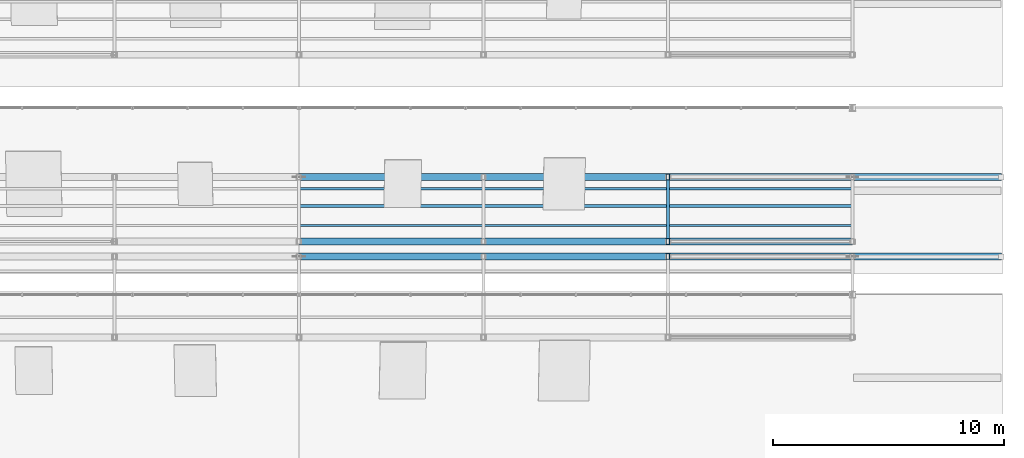
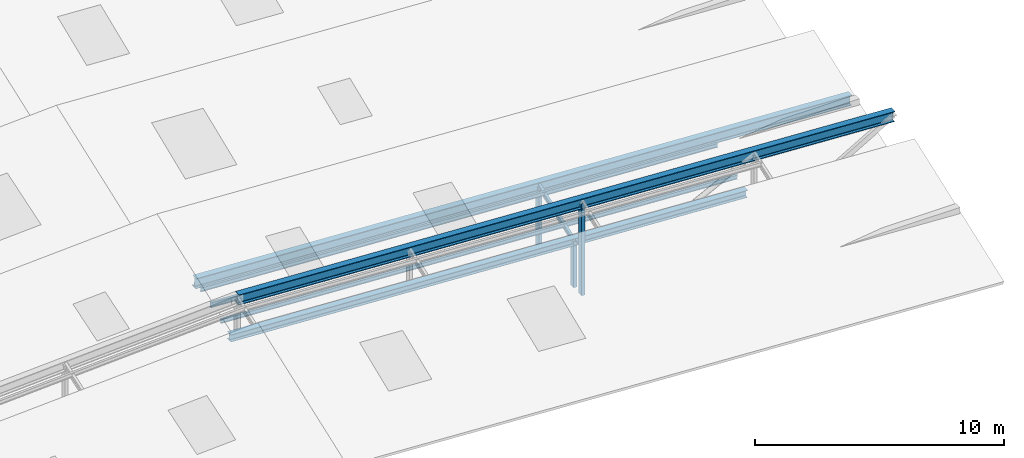
# One storey, part 56 of 141: 10 members.
"""IFC4 building model written with IfcOpenShell, lengths in metres."""

from ifc_helpers import new_model, si_unit, direction, frame, origin, origin_2d, place, context, subcontext, project, spatial, hollow_rectangle, i_section, extrude, material, material_profile, profile_set, type_object, element, save


model = new_model("IFC4")

# Units and contexts
model_context = context("Model", 3, precision=1e-05, world=origin(), true_north=direction((0.0, 1.0)))
body_context = subcontext(model_context, "Body", "Model", "MODEL_VIEW")
ifc_project = project(units=[si_unit("LENGTHUNIT", "METRE"), si_unit("AREAUNIT", "SQUARE_METRE"), si_unit("VOLUMEUNIT", "CUBIC_METRE"), si_unit("PLANEANGLEUNIT", "RADIAN"), si_unit("MASSUNIT", "GRAM", prefix="KILO")], contexts=[model_context])

# Site, building, storey
site_placement = place(None, origin())
site = spatial("IfcSite", under=ifc_project, at=site_placement, CompositionType="ELEMENT")
building_placement = place(site_placement, origin())
building = spatial("IfcBuilding", under=site, at=building_placement, Name="Sundkrona Museum", CompositionType="ELEMENT")
storey_placement = place(building_placement, frame((0.0, 0.0, 34.0)))
storey = spatial("IfcBuildingStorey", under=building, at=storey_placement, Name="RF", CompositionType="ELEMENT", Elevation=34.0)

# Members
ifc_material = material(Name="Steel S355J2", Category="steel")
ifc_material_profile_1 = material_profile(ifc_material, i_section(OverallWidth=0.10009765625, OverallDepth=0.199951171875, WebThickness=0.005615234375, FlangeThickness=0.008544921875, FilletRadius=0.011962890625, at=origin_2d()), Name="IPE 200")
ifc_profile_set_1 = profile_set([ifc_material_profile_1], Name="Steel S355J2")
member_type_1 = type_object("IfcMemberType", Name="PR-IPE200", PredefinedType="PURLIN", material=ifc_profile_set_1)
for number, where, z_axis, x_axis, name in (
    (1, (144.0, 5.199951171875, 3.197998046875), (0.998539934522, 0.0, -0.054018507607), (0.0, 1.0, 0.0), "RFS-1 Sawtooth Blade 2E Roof Purlin 1"),
    (2, (144.0, 6.7958984375, 3.785400390625), (0.998539934522, 0.0, -0.054018507607), (0.0, 1.0, 0.0), "RFS-1 Sawtooth Blade 2E Roof Purlin 3"),
):
    element("IfcMember", number, at=place(storey_placement, frame(where, z_axis=z_axis, x_axis=x_axis)), inside=storey, type_object=member_type_1, Name=name, PredefinedType="PURLIN", context=body_context, shape_type="SweptSolid", body=[
        extrude(i_section(OverallWidth=0.10009765625, OverallDepth=0.199951171875, WebThickness=0.005615234375, FlangeThickness=0.008544921875, FilletRadius=0.011962890625, at=origin_2d()), origin(), (0.0, 0.0, 1.0), 24.03515625),
    ])
ifc_material_profile_2 = material_profile(ifc_material, i_section(OverallWidth=0.1201171875, OverallDepth=0.239990234375, WebThickness=0.006103515625, FlangeThickness=0.009765625, FilletRadius=0.014892578125, at=origin_2d()), Name="IPE 240")
ifc_profile_set_2 = profile_set([ifc_material_profile_2], Name="Steel S355J2")
member_type_2 = type_object("IfcMemberType", Name="PR-IPE240", PredefinedType="PURLIN", material=ifc_profile_set_2)
member_1_placement = place(storey_placement, frame((160.0, 4.5, 1.98974609375), z_axis=(0.0, 0.942754878846, 0.333486489099), x_axis=(-1.0, 0.0, 0.0)))
element("IfcMember", 3, at=member_1_placement, inside=storey, type_object=member_type_2, Name="RFS-1 Sawtooth Bay 2 Transverse Rafter 6", PredefinedType="PURLIN", context=body_context, shape_type="SweptSolid", body=[
    extrude(i_section(OverallWidth=0.1201171875, OverallDepth=0.239990234375, WebThickness=0.006103515625, FlangeThickness=0.009765625, FilletRadius=0.014892578125, at=origin_2d()), origin(), (0.0, 0.0, 1.0), 2.969970703125),
])
member_2_placement = place(storey_placement, frame((144.0, 6.0400390625, 3.487060546875), z_axis=(0.998539934522, 0.0, -0.054018507607), x_axis=(0.0, 1.0, 0.0)))
element("IfcMember", 4, at=member_2_placement, inside=storey, type_object=member_type_2, Name="RFS-1 Sawtooth Blade 2E Roof Purlin 2", PredefinedType="PURLIN", context=body_context, shape_type="SweptSolid", body=[
    extrude(i_section(OverallWidth=0.1201171875, OverallDepth=0.239990234375, WebThickness=0.006103515625, FlangeThickness=0.009765625, FilletRadius=0.014892578125, at=origin_2d()), origin(), (0.0, 0.0, 1.0), 24.03515625),
])
ifc_material_profile_3 = material_profile(ifc_material, hollow_rectangle(XDim=0.14990234375, YDim=0.25, WallThickness=0.010009765625, at=origin_2d()), Name="RHS 250x150x10.0")
ifc_profile_set_3 = profile_set([ifc_material_profile_3], Name="Steel S355J2")
member_type_3 = type_object("IfcMemberType", Name="ST-RHS250", PredefinedType="STRUT", material=ifc_profile_set_3)
member_3_placement = place(storey_placement, frame((160.0, 3.85009765625, -0.25), z_axis=(0.0, 0.0, 1.0), x_axis=(1.0, 0.0, 0.0)))
element("IfcMember", 5, at=member_3_placement, inside=storey, type_object=member_type_3, Name="RFS-1 Sawtooth Truss 1 Vertical Post 6", PredefinedType="STRUT", context=body_context, shape_type="SweptSolid", body=[
    extrude(hollow_rectangle(XDim=0.14990234375, YDim=0.25, WallThickness=0.010009765625, at=origin_2d()), origin(), (0.0, 0.0, 1.0), 4.521728515625),
])
member_4_placement = place(storey_placement, frame((160.0, 7.300048828125, -0.25), z_axis=(0.0, 0.0, 1.0), x_axis=(1.0, 0.0, 0.0)))
element("IfcMember", 6, at=member_4_placement, inside=storey, type_object=member_type_3, Name="RFS-1 Sawtooth Truss 2 Vertical Post 6", PredefinedType="STRUT", context=body_context, shape_type="SweptSolid", body=[
    extrude(hollow_rectangle(XDim=0.14990234375, YDim=0.25, WallThickness=0.010009765625, at=origin_2d()), origin(), (0.0, 0.0, 1.0), 3.230224609375),
])
member_5_placement = place(storey_placement, frame((160.0, 4.5, -0.25), z_axis=(0.0, 0.0, 1.0), x_axis=(1.0, 0.0, 0.0)))
element("IfcMember", 7, at=member_5_placement, inside=storey, type_object=member_type_3, Name="RFS-1 Sawtooth Bay 2 Valley Post 6", PredefinedType="STRUT", context=body_context, shape_type="SweptSolid", body=[
    extrude(hollow_rectangle(XDim=0.14990234375, YDim=0.25, WallThickness=0.010009765625, at=origin_2d()), origin(), (0.0, 0.0, 1.0), 2.23974609375),
])
ifc_material_profile_4 = material_profile(ifc_material, i_section(OverallWidth=0.300048828125, OverallDepth=0.35009765625, WebThickness=0.010009765625, FlangeThickness=0.017578125, FilletRadius=0.027099609375, at=origin_2d()), Name="HEA 360")
ifc_profile_set_4 = profile_set([ifc_material_profile_4], Name="Steel S355J2")
member_type_4 = type_object("IfcMemberType", Name="TC-HEA360", PredefinedType="CHORD", material=ifc_profile_set_4)
member_6_placement = place(storey_placement, frame((144.0, 4.5, 2.855224609375), z_axis=(0.998539934522, 0.0, -0.054018507607), x_axis=(0.0, 1.0, 0.0)))
element("IfcMember", 8, at=member_6_placement, inside=storey, type_object=member_type_4, Name="RFS-1 Sawtooth Valley Truss 2 East Top Chord", PredefinedType="CHORD", context=body_context, shape_type="SweptSolid", body=[
    extrude(i_section(OverallWidth=0.300048828125, OverallDepth=0.35009765625, WebThickness=0.010009765625, FlangeThickness=0.017578125, FilletRadius=0.027099609375, at=origin_2d()), origin(), (0.0, 0.0, 1.0), 24.03515625),
])
ifc_material_profile_5 = material_profile(ifc_material, i_section(OverallWidth=0.300048828125, OverallDepth=0.5, WebThickness=0.014404296875, FlangeThickness=0.028076171875, FilletRadius=0.027099609375, at=origin_2d()), Name="HEB 500")
ifc_profile_set_5 = profile_set([ifc_material_profile_5], Name="Steel S355J2")
member_type_5 = type_object("IfcMemberType", Name="TC-HEB500", PredefinedType="CHORD", material=ifc_profile_set_5)
for number, where, z_axis, x_axis, name in (
    (9, (144.0, 3.85009765625, 5.13720703125), (0.998540021616, 0.0, -0.054016897652), (0.0, 1.0, 0.0), "RFS-1 Sawtooth Truss 1 East Sloped Top Chord"),
    (10, (144.0, 7.300048828125, 3.845703125), (0.998540021616, 0.0, -0.054016897652), (0.0, 1.0, 0.0), "RFS-1 Sawtooth Truss 2 East Sloped Top Chord"),
):
    element("IfcMember", number, at=place(storey_placement, frame(where, z_axis=z_axis, x_axis=x_axis)), inside=storey, type_object=member_type_5, Name=name, PredefinedType="CHORD", context=body_context, shape_type="SweptSolid", body=[
        extrude(i_section(OverallWidth=0.300048828125, OverallDepth=0.5, WebThickness=0.014404296875, FlangeThickness=0.028076171875, FilletRadius=0.027099609375, at=origin_2d()), origin(), (0.0, 0.0, 1.0), 30.494384765625),
    ])

save(model, "model.ifc")
